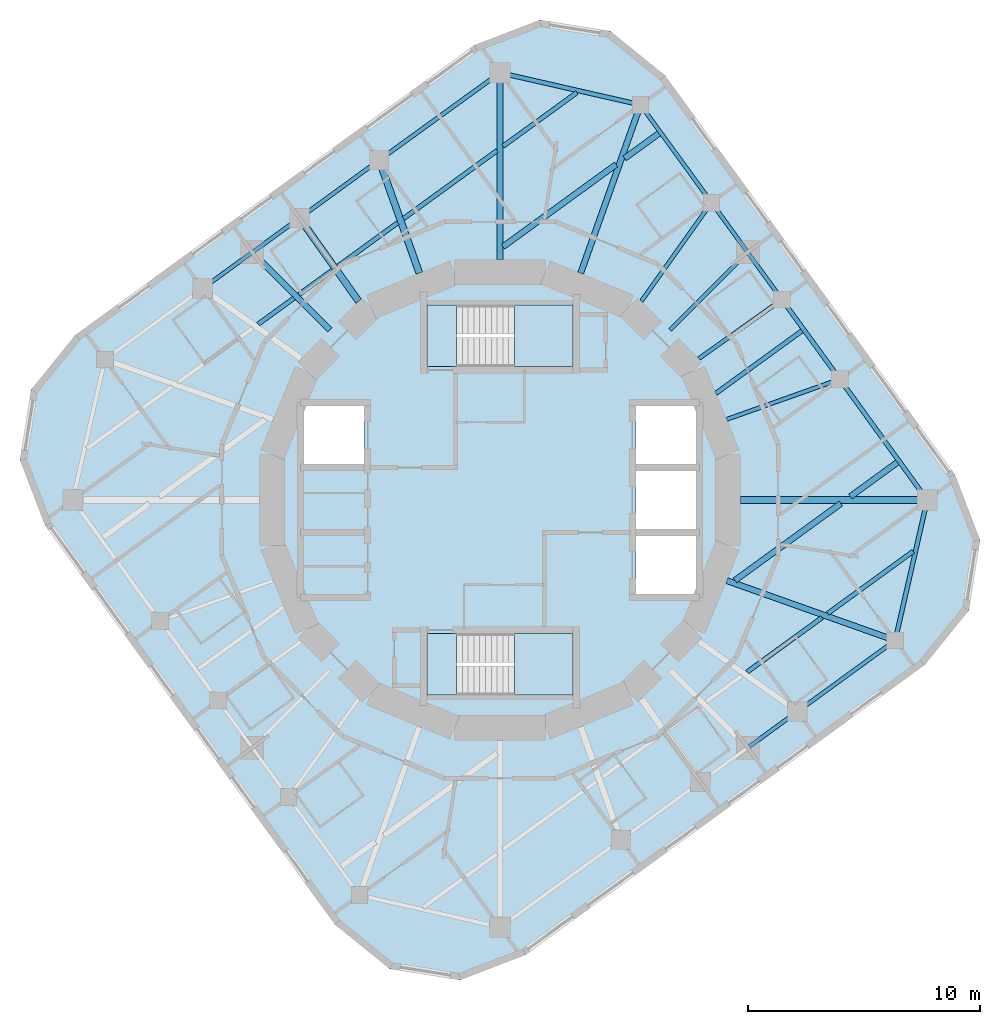
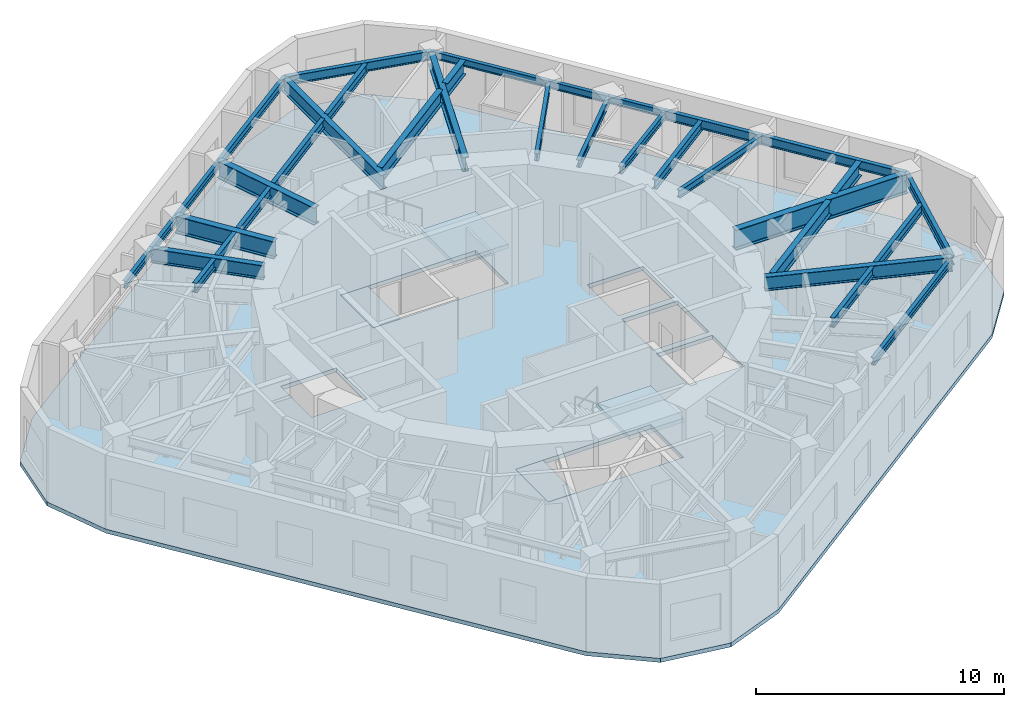
# One storey, part 2 of 9: 36 beams, 5 slabs, 2 elements without a shape of their own.
"""IFC4 building model written with IfcOpenShell, lengths in metres."""

import ifcopenshell
import ifcopenshell.guid

model = None  # the IFC model being written
_history = None  # IfcOwnerHistory: only IFC2X3 demands one
_inside = {}  # id of a spatial element -> (the spatial element, [elements in it])
_under = {}  # id of a project, library or spatial element -> (it, [spatial elements below it])
_declared = {}  # id of a project -> (the project, [libraries it declares])
_typed = {}  # id of a type object -> (the type object, [elements of that type])
_made_of = {}  # id of a material, layer set ... -> (it, [elements and type objects made of it])


def new_model(schema):
    """Start an empty IFC model of exactly this schema.

    Asked for "IFC4X3", IfcOpenShell would pick the latest addendum, in which some entities
    have other attributes; the version numbers below select the first issue.
    IFC2X3 requires an IfcOwnerHistory on every rooted entity: one is made here for all.
    """
    global model, _history
    if schema == "IFC4X3":
        model = ifcopenshell.file(schema_version=(4, 3, 0, 0))
    else:
        model = ifcopenshell.file(schema=schema)
    _inside.clear()
    _under.clear()
    _declared.clear()
    _typed.clear()
    _made_of.clear()
    _history = None
    if model.schema == "IFC2X3":
        org = make("IfcOrganization", Name="unknown")
        user = make(
            "IfcPersonAndOrganization",
            ThePerson=make("IfcPerson", FamilyName="unknown"),
            TheOrganization=org,
        )
        app = make(
            "IfcApplication",
            ApplicationDeveloper=org,
            Version="unknown",
            ApplicationFullName="unknown",
            ApplicationIdentifier="unknown",
        )
        _history = make(
            "IfcOwnerHistory",
            OwningUser=user,
            OwningApplication=app,
            ChangeAction="ADDED",
            CreationDate=0,
        )
    return model


def make(cls, **values):
    """One entity of the class cls with the attributes given. An attribute that is None is left unset."""
    return model.create_entity(
        cls, **{name: value for name, value in values.items() if value is not None}
    )


def rooted(cls, **values):
    """An entity with a GlobalId (a new one), such as an element, a storey or a relation."""
    return make(cls, GlobalId=ifcopenshell.guid.new(), OwnerHistory=_history, **values)


def si_unit(unit_type, name, prefix=None):
    """IfcSIUnit, for example si_unit("LENGTHUNIT", "METRE", prefix="MILLI")."""
    return make("IfcSIUnit", UnitType=unit_type, Prefix=prefix, Name=name)


def assignment(units):
    """IfcUnitAssignment: the units of a project."""
    return None if units is None else make("IfcUnitAssignment", Units=units)


def point(xyz):
    """IfcCartesianPoint."""
    return None if xyz is None else make("IfcCartesianPoint", Coordinates=xyz)


def direction(xyz):
    """IfcDirection."""
    return None if xyz is None else make("IfcDirection", DirectionRatios=xyz)


def frame(location, z_axis=None, x_axis=None):
    """IfcAxis2Placement3D, a coordinate frame: its origin and axes. An axis left out is left unset."""
    return make(
        "IfcAxis2Placement3D",
        Location=point(location),
        Axis=direction(z_axis),
        RefDirection=direction(x_axis),
    )


def frame_2d(location, x_axis=None):
    """IfcAxis2Placement2D, a coordinate frame in the plane: its origin and x axis."""
    return make(
        "IfcAxis2Placement2D", Location=point(location), RefDirection=direction(x_axis)
    )


def origin():
    """The frame at (0, 0, 0) with its axes left unset."""
    return frame((0.0, 0.0, 0.0))


def origin_2d():
    """The frame at (0, 0) in the plane with its x axis left unset."""
    return frame_2d((0.0, 0.0))


def place(relative_to, where):
    """IfcLocalPlacement: puts the frame where relative to a parent placement (None: the world)."""
    return make(
        "IfcLocalPlacement", PlacementRelTo=relative_to, RelativePlacement=where
    )


def context(
    kind, dimensions, precision=None, world=None, true_north=None, identifier=None
):
    """IfcGeometricRepresentationContext, for example the 3D "Model" context."""
    return make(
        "IfcGeometricRepresentationContext",
        ContextIdentifier=identifier,
        ContextType=kind,
        CoordinateSpaceDimension=dimensions,
        Precision=precision,
        WorldCoordinateSystem=world,
        TrueNorth=true_north,
    )


def subcontext(parent, identifier, kind, view, scale=None):
    """IfcGeometricRepresentationSubContext, for example "Body" below "Model"."""
    return make(
        "IfcGeometricRepresentationSubContext",
        ContextIdentifier=identifier,
        ContextType=kind,
        ParentContext=parent,
        TargetScale=scale,
        TargetView=view,
    )


def project(units=None, contexts=None):
    """IfcProject with its units and contexts."""
    return rooted(
        "IfcProject",
        Name="project",
        RepresentationContexts=contexts,
        UnitsInContext=assignment(units),
    )


def spatial(cls, under=None, at=None, **own):
    """A site, building, storey or space (cls), placed at a placement, below another one or the project."""
    s = rooted(cls, ObjectPlacement=at, **own)
    if under is not None:
        _under.setdefault(under.id(), (under, []))[1].append(s)
    return s


def polyline(points):
    """IfcPolyline through the points."""
    return make("IfcPolyline", Points=[point(p) for p in points])


def profile(cls, at=None, kind="AREA", **sizes):
    """A parametric profile (cls). Its sizes go by their IFC names, for example OverallWidth=200.0."""
    return make(cls, ProfileType=kind, Position=at, **sizes)


def i_section(**sizes):
    """IfcIShapeProfileDef."""
    return profile("IfcIShapeProfileDef", **sizes)


def outline(outer, holes=None, kind="AREA"):
    """IfcArbitraryClosedProfileDef: a profile drawn as a closed curve; with holes, ...WithVoids."""
    if holes is None:
        return make("IfcArbitraryClosedProfileDef", ProfileType=kind, OuterCurve=outer)
    return make(
        "IfcArbitraryProfileDefWithVoids",
        ProfileType=kind,
        OuterCurve=outer,
        InnerCurves=holes,
    )


def extrude(swept, where, along, depth):
    """IfcExtrudedAreaSolid: the profile swept, set in the frame where, extruded along a direction by depth."""
    return make(
        "IfcExtrudedAreaSolid",
        SweptArea=swept,
        Position=where,
        ExtrudedDirection=direction(along),
        Depth=depth,
    )


def shape(context_of_items, identifier, shape_type, items):
    """IfcShapeRepresentation: the items that make up one representation, for example the "Body"."""
    return make(
        "IfcShapeRepresentation",
        ContextOfItems=context_of_items,
        RepresentationIdentifier=identifier,
        RepresentationType=shape_type,
        Items=items,
    )


def material(Name=None, Category=None):
    """IfcMaterial."""
    return make("IfcMaterial", Name=Name, Category=Category)


def layer(
    of_material, thickness, ventilated=None, Name=None, Category=None, Priority=None
):
    """IfcMaterialLayer: one layer of a wall or slab, of a material (None: an air gap)."""
    return make(
        "IfcMaterialLayer",
        Material=of_material,
        LayerThickness=thickness,
        IsVentilated=ventilated,
        Name=Name,
        Category=Category,
        Priority=Priority,
    )


def layer_set(layers, Name=None):
    """IfcMaterialLayerSet."""
    return make("IfcMaterialLayerSet", MaterialLayers=layers, LayerSetName=Name)


def material_profile(
    of_material, cross_section, Name=None, Category=None, Priority=None
):
    """IfcMaterialProfile: a cross section and its material."""
    return make(
        "IfcMaterialProfile",
        Name=Name,
        Material=of_material,
        Profile=cross_section,
        Priority=Priority,
        Category=Category,
    )


def profile_set(profiles, Name=None, composite=None):
    """IfcMaterialProfileSet."""
    return make(
        "IfcMaterialProfileSet",
        Name=Name,
        MaterialProfiles=profiles,
        CompositeProfile=composite,
    )


def made_of(thing, what):
    """Note that an element or type object is made of a material, layer set ...; save() writes the relation."""
    if what is not None:
        _made_of.setdefault(what.id(), (what, []))[1].append(thing)
    return thing


def type_object(cls, material=None, **own):
    """A type object (cls), such as IfcWallType, which elements share."""
    return made_of(rooted(cls, **own), material)


def element(
    cls,
    number,
    at=None,
    inside=None,
    cuts=None,
    type_object=None,
    material=None,
    context=None,
    identifier="Body",
    shape_type=None,
    held_by="IfcProductDefinitionShape",
    body=None,
    shapes=None,
    **own,
):
    """One element of the class cls, such as IfcWall. Its Tag is "e" and its number.

    at: its placement. inside: the storey or other place that contains it. cuts: it is an
    opening in that element (IfcRelVoidsElement). A single representation is given by context,
    identifier, shape_type and body (its items); several are given by shapes. held_by: the class
    of the entity that holds the representations. save() writes the other relations.
    """
    e = rooted(cls, Tag="e%d" % number, ObjectPlacement=at, **own)
    if body is not None:
        shapes = [shape(context, identifier, shape_type, body)]
    if shapes is not None:
        e.Representation = make(held_by, Representations=shapes)
    if inside is not None:
        _inside.setdefault(inside.id(), (inside, []))[1].append(e)
    if cuts is not None:
        rooted(
            "IfcRelVoidsElement", RelatingBuildingElement=cuts, RelatedOpeningElement=e
        )
    if type_object is not None:
        _typed.setdefault(type_object.id(), (type_object, []))[1].append(e)
    return made_of(e, material)


def aggregate(whole, parts):
    """IfcRelAggregates: a whole, such as a stair, and the parts it consists of."""
    return rooted("IfcRelAggregates", RelatingObject=whole, RelatedObjects=parts)


def save(model, path):
    """Write the relations noted so far, then the file.

    IfcRelAggregates (storeys below a building ...), IfcRelContainedInSpatialStructure (elements
    in a storey), IfcRelDefinesByType, IfcRelAssociatesMaterial and IfcRelDeclares: one each for
    every whole, place, type object, material and project.
    """
    for whole, parts in _under.values():
        aggregate(whole, parts)
    for where, things in _inside.values():
        rooted(
            "IfcRelContainedInSpatialStructure",
            RelatedElements=things,
            RelatingStructure=where,
        )
    for kind, things in _typed.values():
        rooted("IfcRelDefinesByType", RelatedObjects=things, RelatingType=kind)
    for what, things in _made_of.values():
        rooted("IfcRelAssociatesMaterial", RelatedObjects=things, RelatingMaterial=what)
    for by, libraries in _declared.values():
        rooted("IfcRelDeclares", RelatingContext=by, RelatedDefinitions=libraries)
    model.write(path)


model = new_model("IFC4")

# Units and contexts
model_context = context("Model", 3, precision=1e-05, world=origin(), true_north=direction((0.0, 1.0)))
body_context = subcontext(model_context, "Body", "Model", "MODEL_VIEW")
ifc_project = project(units=[si_unit("LENGTHUNIT", "METRE"), si_unit("AREAUNIT", "SQUARE_METRE"), si_unit("VOLUMEUNIT", "CUBIC_METRE"), si_unit("PLANEANGLEUNIT", "RADIAN"), si_unit("MASSUNIT", "GRAM", prefix="KILO")], contexts=[model_context])

# Site, building, storey
site_placement = place(None, origin())
site = spatial("IfcSite", under=ifc_project, at=site_placement, CompositionType="ELEMENT")
building_placement = place(site_placement, origin())
building = spatial("IfcBuilding", under=site, at=building_placement, Name="Nakasero Lantern House", CompositionType="ELEMENT")
storey_placement = place(building_placement, frame((0.0, 0.0, 283.0)))
storey = spatial("IfcBuildingStorey", under=building, at=storey_placement, Name="L69", CompositionType="ELEMENT", Elevation=283.0)

# Beams
ifc_material_1 = material(Name="Steel S355", Category="steel")
ifc_material_profile_1 = material_profile(ifc_material_1, i_section(OverallWidth=0.19140625, OverallDepth=0.4599609375, WebThickness=0.010009765625, FlangeThickness=0.01611328125, FilletRadius=0.01025390625, at=origin_2d()), Name="UB 457x191x82")
ifc_profile_set_1 = profile_set([ifc_material_profile_1], Name="Steel S355")
beam_type_1 = type_object("IfcBeamType", Name="Infill beam UB 457x191x82", PredefinedType="JOIST", material=ifc_profile_set_1)
beam_1_placement = place(storey_placement, frame((10.6416015625, -7.410400390625, 3.419921875), z_axis=(0.809000670398, 0.587807719663, 0.0), x_axis=(-0.587807719663, 0.809000670398, 0.0)))
element("IfcBeam", 1, at=beam_1_placement, inside=storey, type_object=beam_type_1, Name="Infill beam L70 03.6", PredefinedType="JOIST", context=body_context, shape_type="SweptSolid", body=[
    extrude(i_section(OverallWidth=0.19140625, OverallDepth=0.4599609375, WebThickness=0.010009765625, FlangeThickness=0.01611328125, FilletRadius=0.01025390625, at=origin_2d()), origin(), (0.0, 0.0, 1.0), 3.989013671875),
])
beam_2_placement = place(storey_placement, frame((14.117431640625, -4.885009765625, 3.419921875), z_axis=(0.80901210161, 0.587791986546, 0.0), x_axis=(-0.587791986546, 0.80901210161, 0.0)))
element("IfcBeam", 2, at=beam_2_placement, inside=storey, type_object=beam_type_1, Name="Infill beam L70 03.7", PredefinedType="JOIST", context=body_context, shape_type="SweptSolid", body=[
    extrude(i_section(OverallWidth=0.19140625, OverallDepth=0.4599609375, WebThickness=0.010009765625, FlangeThickness=0.01611328125, FilletRadius=0.01025390625, at=origin_2d()), origin(), (0.0, 0.0, 1.0), 4.55029296875),
])
beam_3_placement = place(storey_placement, frame((9.306396484375, 4.598388671875, 3.419921875), z_axis=(0.809017640959, 0.587784362344, 0.0), x_axis=(-0.587784362344, 0.809017640959, 0.0)))
element("IfcBeam", 3, at=beam_3_placement, inside=storey, type_object=beam_type_1, Name="Infill beam L70 06.1", PredefinedType="JOIST", context=body_context, shape_type="SweptSolid", body=[
    extrude(i_section(OverallWidth=0.19140625, OverallDepth=0.4599609375, WebThickness=0.010009765625, FlangeThickness=0.01611328125, FilletRadius=0.01025390625, at=origin_2d()), origin(), (0.0, 0.0, 1.0), 4.572998046875),
])
beam_4_placement = place(storey_placement, frame((-10.41845703125, 7.572265625, 3.419921875), z_axis=(0.809012638294, 0.587791247877, 0.0), x_axis=(-0.587791247877, 0.809012638294, 0.0)))
element("IfcBeam", 4, at=beam_4_placement, inside=storey, type_object=beam_type_1, Name="Infill beam L70 10.3", PredefinedType="JOIST", context=body_context, shape_type="SweptSolid", body=[
    extrude(i_section(OverallWidth=0.19140625, OverallDepth=0.4599609375, WebThickness=0.010009765625, FlangeThickness=0.01611328125, FilletRadius=0.01025390625, at=origin_2d()), origin(), (0.0, 0.0, 1.0), 1.908203125),
])
beam_5_placement = place(storey_placement, frame((-8.665283203125, 8.84619140625, 3.419921875), z_axis=(0.809060510352, 0.587725353025, 0.0), x_axis=(-0.587725353025, 0.809060510352, 0.0)))
element("IfcBeam", 5, at=beam_5_placement, inside=storey, type_object=beam_type_1, Name="Infill beam L70 10.4", PredefinedType="JOIST", context=body_context, shape_type="SweptSolid", body=[
    extrude(i_section(OverallWidth=0.19140625, OverallDepth=0.4599609375, WebThickness=0.010009765625, FlangeThickness=0.01611328125, FilletRadius=0.01025390625, at=origin_2d()), origin(), (0.0, 0.0, 1.0), 1.7890625),
])
beam_6_placement = place(storey_placement, frame((-6.981201171875, 10.069580078125, 3.419921875), z_axis=(0.809014147131, 0.587789171167, 0.0), x_axis=(-0.587789171167, 0.809014147131, 0.0)))
element("IfcBeam", 6, at=beam_6_placement, inside=storey, type_object=beam_type_1, Name="Infill beam L70 10.5", PredefinedType="JOIST", context=body_context, shape_type="SweptSolid", body=[
    extrude(i_section(OverallWidth=0.19140625, OverallDepth=0.4599609375, WebThickness=0.010009765625, FlangeThickness=0.01611328125, FilletRadius=0.01025390625, at=origin_2d()), origin(), (0.0, 0.0, 1.0), 3.188232421875),
])
beam_7_placement = place(storey_placement, frame((-4.1552734375, 12.122802734375, 3.419921875), z_axis=(0.809018056479, 0.587783790428, 0.0), x_axis=(-0.587783790428, 0.809018056479, 0.0)))
element("IfcBeam", 7, at=beam_7_placement, inside=storey, type_object=beam_type_1, Name="Infill beam L70 10.6", PredefinedType="JOIST", context=body_context, shape_type="SweptSolid", body=[
    extrude(i_section(OverallWidth=0.19140625, OverallDepth=0.4599609375, WebThickness=0.010009765625, FlangeThickness=0.01611328125, FilletRadius=0.01025390625, at=origin_2d()), origin(), (0.0, 0.0, 1.0), 4.97802734375),
])
beam_8_placement = place(storey_placement, frame((0.1279296875, 15.23486328125, 3.419921875), z_axis=(0.809028442836, 0.587769494515, 0.0), x_axis=(-0.587769494515, 0.809028442836, 0.0)))
element("IfcBeam", 8, at=beam_8_placement, inside=storey, type_object=beam_type_1, Name="Infill beam L70 10.7", PredefinedType="JOIST", context=body_context, shape_type="SweptSolid", body=[
    extrude(i_section(OverallWidth=0.19140625, OverallDepth=0.4599609375, WebThickness=0.010009765625, FlangeThickness=0.01611328125, FilletRadius=0.01025390625, at=origin_2d()), origin(), (0.0, 0.0, 1.0), 3.934814453125),
])
ifc_material_2 = material(Name="Steel S355", Category="steel")
ifc_material_profile_2 = material_profile(ifc_material_2, i_section(OverallWidth=0.255859375, OverallDepth=0.69287109375, WebThickness=0.014404296875, FlangeThickness=0.023681640625, FilletRadius=0.01513671875, at=origin_2d()), Name="UB 686x254x170")
ifc_profile_set_2 = profile_set([ifc_material_profile_2], Name="Steel S355")
beam_type_2 = type_object("IfcBeamType", Name="Infill beam UB 686x254x170", PredefinedType="JOIST", material=ifc_profile_set_2)
beam_9_placement = place(storey_placement, frame((10.119384765625, -3.46337890625, 3.303466796875), z_axis=(0.809013172462, 0.587790512669, 0.0), x_axis=(-0.587790512669, 0.809013172462, 0.0)))
element("IfcBeam", 9, at=beam_9_placement, inside=storey, type_object=beam_type_2, Name="Infill beam L70 04.3", PredefinedType="JOIST", context=body_context, shape_type="SweptSolid", body=[
    extrude(i_section(OverallWidth=0.255859375, OverallDepth=0.69287109375, WebThickness=0.014404296875, FlangeThickness=0.023681640625, FilletRadius=0.01513671875, at=origin_2d()), origin(), (0.0, 0.0, 1.0), 5.63720703125),
])
beam_10_placement = place(storey_placement, frame((15.0927734375, 0.14990234375, 3.303466796875), z_axis=(0.809015124384, 0.587787826106, 0.0), x_axis=(-0.587787826106, 0.809015124384, 0.0)))
element("IfcBeam", 10, at=beam_10_placement, inside=storey, type_object=beam_type_2, Name="Infill beam L70 04.4", PredefinedType="JOIST", context=body_context, shape_type="SweptSolid", body=[
    extrude(i_section(OverallWidth=0.255859375, OverallDepth=0.69287109375, WebThickness=0.014404296875, FlangeThickness=0.023681640625, FilletRadius=0.01513671875, at=origin_2d()), origin(), (0.0, 0.0, 1.0), 2.496337890625),
])
beam_11_placement = place(storey_placement, frame((0.1279296875, 10.908447265625, 3.303466796875), z_axis=(0.809011117524, 0.587793340998, 0.0), x_axis=(-0.587793340998, 0.809011117524, 0.0)))
element("IfcBeam", 11, at=beam_11_placement, inside=storey, type_object=beam_type_2, Name="Infill beam L70 09.3", PredefinedType="JOIST", context=body_context, shape_type="SweptSolid", body=[
    extrude(i_section(OverallWidth=0.255859375, OverallDepth=0.69287109375, WebThickness=0.014404296875, FlangeThickness=0.023681640625, FilletRadius=0.01513671875, at=origin_2d()), origin(), (0.0, 0.0, 1.0), 6.024658203125),
])
beam_12_placement = place(storey_placement, frame((5.367919921875, 14.715576171875, 3.303466796875), z_axis=(0.809025740158, 0.587773214566, 0.0), x_axis=(-0.587773214566, 0.809025740158, 0.0)))
element("IfcBeam", 12, at=beam_12_placement, inside=storey, type_object=beam_type_2, Name="Infill beam L70 09.4", PredefinedType="JOIST", context=body_context, shape_type="SweptSolid", body=[
    extrude(i_section(OverallWidth=0.255859375, OverallDepth=0.69287109375, WebThickness=0.014404296875, FlangeThickness=0.023681640625, FilletRadius=0.01513671875, at=origin_2d()), origin(), (0.0, 0.0, 1.0), 1.82177734375),
])
ifc_material_3 = material(Name="Steel S355", Category="steel")
ifc_material_profile_3 = material_profile(ifc_material_3, i_section(OverallWidth=0.300048828125, OverallDepth=0.97998046875, WebThickness=0.0166015625, FlangeThickness=0.02587890625, FilletRadius=0.030029296875, at=origin_2d()), Name="UB 1016x305x249")
ifc_profile_set_3 = profile_set([ifc_material_profile_3], Name="Steel S355")
beam_type_3 = type_object("IfcBeamType", Name="Primary beam UB 1016x305x249, span 6 to 9 m", PredefinedType="BEAM", material=ifc_profile_set_3)
beam_13_placement = place(storey_placement, frame((18.39990234375, 0.0, 3.159912109375), z_axis=(-1.0, 0.0, 0.0), x_axis=(0.0, -1.0, 0.0)))
element("IfcBeam", 13, at=beam_13_placement, inside=storey, type_object=beam_type_3, Name="Primary beam L70 B7-C03", PredefinedType="BEAM", context=body_context, shape_type="SweptSolid", body=[
    extrude(i_section(OverallWidth=0.300048828125, OverallDepth=0.97998046875, WebThickness=0.0166015625, FlangeThickness=0.02587890625, FilletRadius=0.030029296875, at=origin_2d()), origin(), (0.0, 0.0, 1.0), 8.0419921875),
])
ifc_material_4 = material(Name="Steel S355", Category="steel")
ifc_material_profile_4 = material_profile(ifc_material_4, i_section(OverallWidth=0.17138671875, OverallDepth=0.35498046875, WebThickness=0.00732421875, FlangeThickness=0.011474609375, FilletRadius=0.01025390625, at=origin_2d()), Name="UB 356x171x51")
ifc_profile_set_4 = profile_set([ifc_material_profile_4], Name="Steel S355")
beam_type_4 = type_object("IfcBeamType", Name="Primary beam UB 356x171x51, span to 6 m", PredefinedType="BEAM", material=ifc_profile_set_4)
beam_14_placement = place(storey_placement, frame((14.636474609375, 5.2041015625, 3.472412109375), z_axis=(-0.942221324153, -0.3349910093, 0.0), x_axis=(0.3349910093, -0.942221324153, 0.0)))
element("IfcBeam", 14, at=beam_14_placement, inside=storey, type_object=beam_type_4, Name="Primary beam L70 B7-C04", PredefinedType="BEAM", context=body_context, shape_type="SweptSolid", body=[
    extrude(i_section(OverallWidth=0.17138671875, OverallDepth=0.35498046875, WebThickness=0.00732421875, FlangeThickness=0.011474609375, FilletRadius=0.01025390625, at=origin_2d()), origin(), (0.0, 0.0, 1.0), 5.162841796875),
])
beam_15_placement = place(storey_placement, frame((12.1435546875, 8.63525390625, 3.472412109375), z_axis=(-0.814988544116, -0.579477068537, 0.0), x_axis=(0.579477068537, -0.814988544116, 0.0)))
element("IfcBeam", 15, at=beam_15_placement, inside=storey, type_object=beam_type_4, Name="Primary beam L70 B7-C05", PredefinedType="BEAM", context=body_context, shape_type="SweptSolid", body=[
    extrude(i_section(OverallWidth=0.17138671875, OverallDepth=0.35498046875, WebThickness=0.00732421875, FlangeThickness=0.011474609375, FilletRadius=0.01025390625, at=origin_2d()), origin(), (0.0, 0.0, 1.0), 4.396484375),
])
beam_16_placement = place(storey_placement, frame((10.667236328125, 10.667236328125, 3.472412109375), z_axis=(-0.707106781187, -0.707106781187, 0.0), x_axis=(0.707106781187, -0.707106781187, 0.0)))
element("IfcBeam", 16, at=beam_16_placement, inside=storey, type_object=beam_type_4, Name="Primary beam L70 B7-C06", PredefinedType="BEAM", context=body_context, shape_type="SweptSolid", body=[
    extrude(i_section(OverallWidth=0.17138671875, OverallDepth=0.35498046875, WebThickness=0.00732421875, FlangeThickness=0.011474609375, FilletRadius=0.01025390625, at=origin_2d()), origin(), (0.0, 0.0, 1.0), 4.727783203125),
])
beam_17_placement = place(storey_placement, frame((9.10986328125, 12.810791015625, 3.472412109375), z_axis=(-0.579500985986, -0.814971537688, 0.0), x_axis=(0.814971537688, -0.579500985986, 0.0)))
element("IfcBeam", 17, at=beam_17_placement, inside=storey, type_object=beam_type_4, Name="Primary beam L70 B7-C07", PredefinedType="BEAM", context=body_context, shape_type="SweptSolid", body=[
    extrude(i_section(OverallWidth=0.17138671875, OverallDepth=0.35498046875, WebThickness=0.00732421875, FlangeThickness=0.011474609375, FilletRadius=0.01025390625, at=origin_2d()), origin(), (0.0, 0.0, 1.0), 5.215087890625),
])
ifc_material_5 = material(Name="Steel S355", Category="steel")
ifc_material_profile_5 = material_profile(ifc_material_5, i_section(OverallWidth=0.253662109375, OverallDepth=0.68359375, WebThickness=0.012451171875, FlangeThickness=0.01904296875, FilletRadius=0.01513671875, at=origin_2d()), Name="UB 686x254x140")
ifc_profile_set_5 = profile_set([ifc_material_profile_5], Name="Steel S355")
beam_type_5 = type_object("IfcBeamType", Name="Primary beam UB 686x254x140, span 6 to 9 m", PredefinedType="BEAM", material=ifc_profile_set_5)
beam_18_placement = place(storey_placement, frame((17.02001953125, -6.051513671875, 3.308349609375), z_axis=(-0.942222036561, 0.334989005521, 0.0), x_axis=(-0.334989005521, -0.942222036561, 0.0)))
element("IfcBeam", 18, at=beam_18_placement, inside=storey, type_object=beam_type_5, Name="Primary beam L70 B7-C02", PredefinedType="BEAM", context=body_context, shape_type="SweptSolid", body=[
    extrude(i_section(OverallWidth=0.253662109375, OverallDepth=0.68359375, WebThickness=0.012451171875, FlangeThickness=0.01904296875, FilletRadius=0.01513671875, at=origin_2d()), origin(), (0.0, 0.0, 1.0), 7.6923828125),
])
ifc_material_6 = material(Name="Steel S355", Category="steel")
ifc_material_profile_6 = material_profile(ifc_material_6, i_section(OverallWidth=0.255859375, OverallDepth=0.69287109375, WebThickness=0.014404296875, FlangeThickness=0.023681640625, FilletRadius=0.01513671875, at=origin_2d()), Name="UB 686x254x170")
ifc_profile_set_6 = profile_set([ifc_material_profile_6], Name="Steel S355")
beam_type_6 = type_object("IfcBeamType", Name="Primary beam UB 686x254x170, span 6 to 9 m", PredefinedType="BEAM", material=ifc_profile_set_6)
beam_19_placement = place(storey_placement, frame((6.051513671875, 17.02001953125, 3.303466796875), z_axis=(-0.334989005521, -0.942222036561, 0.0), x_axis=(0.942222036561, -0.334989005521, 0.0)))
element("IfcBeam", 19, at=beam_19_placement, inside=storey, type_object=beam_type_6, Name="Primary beam L70 B7-C08", PredefinedType="BEAM", context=body_context, shape_type="SweptSolid", body=[
    extrude(i_section(OverallWidth=0.255859375, OverallDepth=0.69287109375, WebThickness=0.014404296875, FlangeThickness=0.023681640625, FilletRadius=0.01513671875, at=origin_2d()), origin(), (0.0, 0.0, 1.0), 7.6923828125),
])
beam_20_placement = place(storey_placement, frame((0.0, 18.39990234375, 3.303466796875), z_axis=(0.0, -1.0, 0.0), x_axis=(1.0, 0.0, 0.0)))
element("IfcBeam", 20, at=beam_20_placement, inside=storey, type_object=beam_type_6, Name="Primary beam L70 B7-C09", PredefinedType="BEAM", context=body_context, shape_type="SweptSolid", body=[
    extrude(i_section(OverallWidth=0.255859375, OverallDepth=0.69287109375, WebThickness=0.014404296875, FlangeThickness=0.023681640625, FilletRadius=0.01513671875, at=origin_2d()), origin(), (0.0, 0.0, 1.0), 8.0419921875),
])
ifc_material_7 = material(Name="Steel S355", Category="steel")
ifc_material_profile_7 = material_profile(ifc_material_7, i_section(OverallWidth=0.255859375, OverallDepth=0.69287109375, WebThickness=0.014404296875, FlangeThickness=0.023681640625, FilletRadius=0.01513671875, at=origin_2d()), Name="UB 686x254x170")
ifc_profile_set_7 = profile_set([ifc_material_profile_7], Name="Steel S355")
beam_type_7 = type_object("IfcBeamType", Name="Primary beam UB 686x254x170, span to 6 m", PredefinedType="BEAM", material=ifc_profile_set_7)
beam_21_placement = place(storey_placement, frame((-10.667236328125, 10.667236328125, 3.303466796875), z_axis=(0.707106781187, -0.707106781187, 0.0), x_axis=(0.707106781187, 0.707106781187, 0.0)))
element("IfcBeam", 21, at=beam_21_placement, inside=storey, type_object=beam_type_7, Name="Primary beam L70 B7-C12", PredefinedType="BEAM", context=body_context, shape_type="SweptSolid", body=[
    extrude(i_section(OverallWidth=0.255859375, OverallDepth=0.69287109375, WebThickness=0.014404296875, FlangeThickness=0.023681640625, FilletRadius=0.01513671875, at=origin_2d()), origin(), (0.0, 0.0, 1.0), 4.727783203125),
])
ifc_material_8 = material(Name="Steel S355", Category="steel")
ifc_material_profile_8 = material_profile(ifc_material_8, i_section(OverallWidth=0.29248046875, OverallDepth=0.8408203125, WebThickness=0.0146484375, FlangeThickness=0.02685546875, FilletRadius=0.017822265625, at=origin_2d()), Name="UB 838x292x194")
ifc_profile_set_8 = profile_set([ifc_material_profile_8], Name="Steel S355")
beam_type_8 = type_object("IfcBeamType", Name="Primary beam UB 838x292x194, span to 6 m", PredefinedType="BEAM", material=ifc_profile_set_8)
beam_22_placement = place(storey_placement, frame((-5.2041015625, 14.636474609375, 3.229736328125), z_axis=(0.3349910093, -0.942221324153, 0.0), x_axis=(0.942221324153, 0.3349910093, 0.0)))
element("IfcBeam", 22, at=beam_22_placement, inside=storey, type_object=beam_type_8, Name="Primary beam L70 B7-C10", PredefinedType="BEAM", context=body_context, shape_type="SweptSolid", body=[
    extrude(i_section(OverallWidth=0.29248046875, OverallDepth=0.8408203125, WebThickness=0.0146484375, FlangeThickness=0.02685546875, FilletRadius=0.017822265625, at=origin_2d()), origin(), (0.0, 0.0, 1.0), 5.162841796875),
])
beam_23_placement = place(storey_placement, frame((-8.63525390625, 12.1435546875, 3.229736328125), z_axis=(0.579477068537, -0.814988544116, 0.0), x_axis=(0.814988544116, 0.579477068537, 0.0)))
element("IfcBeam", 23, at=beam_23_placement, inside=storey, type_object=beam_type_8, Name="Primary beam L70 B7-C11", PredefinedType="BEAM", context=body_context, shape_type="SweptSolid", body=[
    extrude(i_section(OverallWidth=0.29248046875, OverallDepth=0.8408203125, WebThickness=0.0146484375, FlangeThickness=0.02685546875, FilletRadius=0.017822265625, at=origin_2d()), origin(), (0.0, 0.0, 1.0), 4.396484375),
])
ifc_material_9 = material(Name="Steel S355", Category="steel")
ifc_material_profile_9 = material_profile(ifc_material_9, i_section(OverallWidth=0.17138671875, OverallDepth=0.35498046875, WebThickness=0.00732421875, FlangeThickness=0.011474609375, FilletRadius=0.01025390625, at=origin_2d()), Name="UB 356x171x51")
ifc_profile_set_9 = profile_set([ifc_material_profile_9], Name="Steel S355")
beam_type_9 = type_object("IfcBeamType", Name="Ring beam UB 356x171x51", PredefinedType="BEAM", material=ifc_profile_set_9)
beam_24_placement = place(storey_placement, frame((12.810791015625, -9.10986328125, 3.472412109375), z_axis=(0.809001814948, 0.587806144414, 0.0), x_axis=(-0.587806144414, 0.809001814948, 0.0)))
element("IfcBeam", 24, at=beam_24_placement, inside=storey, type_object=beam_type_9, Name="Ring beam L70 B7-C01", PredefinedType="BEAM", context=body_context, shape_type="SweptSolid", body=[
    extrude(i_section(OverallWidth=0.17138671875, OverallDepth=0.35498046875, WebThickness=0.00732421875, FlangeThickness=0.011474609375, FilletRadius=0.01025390625, at=origin_2d()), origin(), (0.0, 0.0, 1.0), 5.202880859375),
])
beam_25_placement = place(storey_placement, frame((12.1435546875, 8.63525390625, 3.472412109375), z_axis=(-0.58778439593, 0.809017616558, 0.0), x_axis=(-0.809017616558, -0.58778439593, 0.0)))
element("IfcBeam", 25, at=beam_25_placement, inside=storey, type_object=beam_type_9, Name="Ring beam L70 B7-C05", PredefinedType="BEAM", context=body_context, shape_type="SweptSolid", body=[
    extrude(i_section(OverallWidth=0.17138671875, OverallDepth=0.35498046875, WebThickness=0.00732421875, FlangeThickness=0.011474609375, FilletRadius=0.01025390625, at=origin_2d()), origin(), (0.0, 0.0, 1.0), 2.51171875),
])
beam_26_placement = place(storey_placement, frame((10.667236328125, 10.667236328125, 3.472412109375), z_axis=(-0.587782635143, 0.809018895839, 0.0), x_axis=(-0.809018895839, -0.587782635143, 0.0)))
element("IfcBeam", 26, at=beam_26_placement, inside=storey, type_object=beam_type_9, Name="Ring beam L70 B7-C06", PredefinedType="BEAM", context=body_context, shape_type="SweptSolid", body=[
    extrude(i_section(OverallWidth=0.17138671875, OverallDepth=0.35498046875, WebThickness=0.00732421875, FlangeThickness=0.011474609375, FilletRadius=0.01025390625, at=origin_2d()), origin(), (0.0, 0.0, 1.0), 2.649658203125),
])
beam_27_placement = place(storey_placement, frame((9.10986328125, 12.810791015625, 3.472412109375), z_axis=(-0.587806144414, 0.809001814948, 0.0), x_axis=(-0.809001814948, -0.587806144414, 0.0)))
element("IfcBeam", 27, at=beam_27_placement, inside=storey, type_object=beam_type_9, Name="Ring beam L70 B7-C07", PredefinedType="BEAM", context=body_context, shape_type="SweptSolid", body=[
    extrude(i_section(OverallWidth=0.17138671875, OverallDepth=0.35498046875, WebThickness=0.00732421875, FlangeThickness=0.011474609375, FilletRadius=0.01025390625, at=origin_2d()), origin(), (0.0, 0.0, 1.0), 5.202880859375),
])
beam_28_placement = place(storey_placement, frame((-5.2041015625, 14.636474609375, 3.472412109375), z_axis=(-0.809012304944, -0.587791706687, 0.0), x_axis=(0.587791706687, -0.809012304944, 0.0)))
element("IfcBeam", 28, at=beam_28_placement, inside=storey, type_object=beam_type_9, Name="Ring beam L70 B7-C10", PredefinedType="BEAM", context=body_context, shape_type="SweptSolid", body=[
    extrude(i_section(OverallWidth=0.17138671875, OverallDepth=0.35498046875, WebThickness=0.00732421875, FlangeThickness=0.011474609375, FilletRadius=0.01025390625, at=origin_2d()), origin(), (0.0, 0.0, 1.0), 4.2412109375),
])
beam_29_placement = place(storey_placement, frame((-8.63525390625, 12.1435546875, 3.472412109375), z_axis=(-0.809017616558, -0.58778439593, 0.0), x_axis=(0.58778439593, -0.809017616558, 0.0)))
element("IfcBeam", 29, at=beam_29_placement, inside=storey, type_object=beam_type_9, Name="Ring beam L70 B7-C11", PredefinedType="BEAM", context=body_context, shape_type="SweptSolid", body=[
    extrude(i_section(OverallWidth=0.17138671875, OverallDepth=0.35498046875, WebThickness=0.00732421875, FlangeThickness=0.011474609375, FilletRadius=0.01025390625, at=origin_2d()), origin(), (0.0, 0.0, 1.0), 2.51171875),
])
for number, where, z_axis, x_axis, name in (
    (30, (-10.667236328125, 10.667236328125, 3.472412109375), (-0.809018895839, -0.587782635143, 0.0), (0.587782635143, -0.809018895839, 0.0), "Ring beam L70 B7-C12"),
    (31, (10.667236328125, -10.667236328125, 3.472412109375), (0.809018895839, 0.587782635143, 0.0), (-0.587782635143, 0.809018895839, 0.0), "Ring beam L70 B7-C24"),
):
    element("IfcBeam", number, at=place(storey_placement, frame(where, z_axis=z_axis, x_axis=x_axis)), inside=storey, type_object=beam_type_9, Name=name, PredefinedType="BEAM", context=body_context, shape_type="SweptSolid", body=[
        extrude(i_section(OverallWidth=0.17138671875, OverallDepth=0.35498046875, WebThickness=0.00732421875, FlangeThickness=0.011474609375, FilletRadius=0.01025390625, at=origin_2d()), origin(), (0.0, 0.0, 1.0), 2.649658203125),
    ])
ifc_material_10 = material(Name="Steel S355", Category="steel")
ifc_material_profile_10 = material_profile(ifc_material_10, i_section(OverallWidth=0.177978515625, OverallDepth=0.406494140625, WebThickness=0.0078125, FlangeThickness=0.0126953125, FilletRadius=0.01025390625, at=origin_2d()), Name="UB 406x178x60")
ifc_profile_set_10 = profile_set([ifc_material_profile_10], Name="Steel S355")
beam_type_10 = type_object("IfcBeamType", Name="Ring beam UB 406x178x60", PredefinedType="BEAM", material=ifc_profile_set_10)
beam_30_placement = place(storey_placement, frame((0.0, 18.39990234375, 3.44677734375), z_axis=(-0.810316200404, -0.58599287996, 0.0), x_axis=(0.58599287996, -0.810316200404, 0.0)))
element("IfcBeam", 32, at=beam_30_placement, inside=storey, type_object=beam_type_10, Name="Ring beam L70 B7-C09", PredefinedType="BEAM", context=body_context, shape_type="SweptSolid", body=[
    extrude(i_section(OverallWidth=0.177978515625, OverallDepth=0.406494140625, WebThickness=0.0078125, FlangeThickness=0.0126953125, FilletRadius=0.01025390625, at=origin_2d()), origin(), (0.0, 0.0, 1.0), 6.42236328125),
])
ifc_material_11 = material(Name="Steel S355", Category="steel")
ifc_material_profile_11 = material_profile(ifc_material_11, i_section(OverallWidth=0.18994140625, OverallDepth=0.453369140625, WebThickness=0.008544921875, FlangeThickness=0.0126953125, FilletRadius=0.01025390625, at=origin_2d()), Name="UB 457x191x67")
ifc_profile_set_11 = profile_set([ifc_material_profile_11], Name="Steel S355")
beam_type_11 = type_object("IfcBeamType", Name="Ring beam UB 457x191x67", PredefinedType="BEAM", material=ifc_profile_set_11)
beam_31_placement = place(storey_placement, frame((17.02001953125, -6.051513671875, 3.42333984375), z_axis=(0.222316387753, 0.974974575944, 0.0), x_axis=(-0.974974575944, 0.222316387753, 0.0)))
element("IfcBeam", 33, at=beam_31_placement, inside=storey, type_object=beam_type_11, Name="Ring beam L70 B7-C02", PredefinedType="BEAM", context=body_context, shape_type="SweptSolid", body=[
    extrude(i_section(OverallWidth=0.18994140625, OverallDepth=0.453369140625, WebThickness=0.008544921875, FlangeThickness=0.0126953125, FilletRadius=0.01025390625, at=origin_2d()), origin(), (0.0, 0.0, 1.0), 6.206787109375),
])
beam_32_placement = place(storey_placement, frame((14.636474609375, 5.2041015625, 3.42333984375), z_axis=(-0.587791706687, 0.809012304944, 0.0), x_axis=(-0.809012304944, -0.587791706687, 0.0)))
element("IfcBeam", 34, at=beam_32_placement, inside=storey, type_object=beam_type_11, Name="Ring beam L70 B7-C04", PredefinedType="BEAM", context=body_context, shape_type="SweptSolid", body=[
    extrude(i_section(OverallWidth=0.18994140625, OverallDepth=0.453369140625, WebThickness=0.008544921875, FlangeThickness=0.0126953125, FilletRadius=0.01025390625, at=origin_2d()), origin(), (0.0, 0.0, 1.0), 4.2412109375),
])
beam_33_placement = place(storey_placement, frame((6.051513671875, 17.02001953125, 3.42333984375), z_axis=(-0.974974575944, 0.222316387753, 0.0), x_axis=(-0.222316387753, -0.974974575944, 0.0)))
element("IfcBeam", 35, at=beam_33_placement, inside=storey, type_object=beam_type_11, Name="Ring beam L70 B7-C08", PredefinedType="BEAM", context=body_context, shape_type="SweptSolid", body=[
    extrude(i_section(OverallWidth=0.18994140625, OverallDepth=0.453369140625, WebThickness=0.008544921875, FlangeThickness=0.0126953125, FilletRadius=0.01025390625, at=origin_2d()), origin(), (0.0, 0.0, 1.0), 6.206787109375),
])
ifc_material_12 = material(Name="Steel S355", Category="steel")
ifc_material_profile_12 = material_profile(ifc_material_12, i_section(OverallWidth=0.19140625, OverallDepth=0.4599609375, WebThickness=0.010009765625, FlangeThickness=0.01611328125, FilletRadius=0.01025390625, at=origin_2d()), Name="UB 457x191x82")
ifc_profile_set_12 = profile_set([ifc_material_profile_12], Name="Steel S355")
beam_type_12 = type_object("IfcBeamType", Name="Ring beam UB 457x191x82", PredefinedType="BEAM", material=ifc_profile_set_12)
beam_34_placement = place(storey_placement, frame((18.39990234375, 0.0, 3.419921875), z_axis=(-0.58599287996, 0.810316200404, 0.0), x_axis=(-0.810316200404, -0.58599287996, 0.0)))
element("IfcBeam", 36, at=beam_34_placement, inside=storey, type_object=beam_type_12, Name="Ring beam L70 B7-C03", PredefinedType="BEAM", context=body_context, shape_type="SweptSolid", body=[
    extrude(i_section(OverallWidth=0.19140625, OverallDepth=0.4599609375, WebThickness=0.010009765625, FlangeThickness=0.01611328125, FilletRadius=0.01025390625, at=origin_2d()), origin(), (0.0, 0.0, 1.0), 6.42236328125),
])

# Slab
ifc_material_13 = material(Name="Concrete C35/45", Category="concrete")
ifc_layer_1 = layer(ifc_material_13, 0.199951171875)
ifc_layer_set_1 = layer_set([ifc_layer_1], Name="Composite floor slab 200")
slab_type_1 = type_object("IfcSlabType", Name="Composite floor slab 200", PredefinedType="FLOOR", material=ifc_layer_set_1)
slab_1_placement = place(storey_placement, frame((0.0, 0.0, -0.199951171875)))
element("IfcSlab", 37, at=slab_1_placement, inside=storey, type_object=slab_type_1, Name="Floor slab L69", PredefinedType="FLOOR", context=body_context, shape_type="SweptSolid", body=[
    extrude(outline(polyline([(7.1181640625, 18.27392578125), (4.744873046875, 20.196044921875), (1.728271484375, 20.673828125), (-1.122802734375, 19.579345703125), (-18.27392578125, 7.1181640625), (-20.196044921875, 4.744873046875), (-20.673828125, 1.728271484375), (-19.579345703125, -1.122802734375), (-7.1181640625, -18.27392578125), (-4.744873046875, -20.196044921875), (-1.728271484375, -20.673828125), (1.122802734375, -19.579345703125), (18.27392578125, -7.1181640625), (20.196044921875, -4.744873046875), (20.673828125, -1.728271484375), (19.579345703125, 1.122802734375), (7.1181640625, 18.27392578125)]), holes=[polyline([(-8.449951171875, 1.550048828125), (-5.85009765625, 1.550048828125), (-5.85009765625, 4.050048828125), (-8.449951171875, 4.050048828125), (-8.449951171875, 1.550048828125)]), polyline([(5.85009765625, -4.050048828125), (8.449951171875, -4.050048828125), (8.449951171875, -1.550048828125), (5.85009765625, -1.550048828125), (5.85009765625, -4.050048828125)]), polyline([(5.85009765625, -1.25), (8.449951171875, -1.25), (8.449951171875, 1.25), (5.85009765625, 1.25), (5.85009765625, -1.25)]), polyline([(5.85009765625, 1.550048828125), (8.449951171875, 1.550048828125), (8.449951171875, 4.050048828125), (5.85009765625, 4.050048828125), (5.85009765625, 1.550048828125)]), polyline([(-3.14990234375, 5.75), (3.14990234375, 5.75), (3.14990234375, 8.39990234375), (-3.14990234375, 8.39990234375), (-3.14990234375, 5.75)]), polyline([(-3.14990234375, -8.39990234375), (3.14990234375, -8.39990234375), (3.14990234375, -5.75), (-3.14990234375, -5.75), (-3.14990234375, -8.39990234375)])]), origin(), (0.0, 0.0, 1.0), 0.199951171875),
])

# Stair, slabs
ifc_material_14 = material(Name="Concrete C40/50", Category="concrete")
stair_type_1 = type_object("IfcStairType", Name="Escape stair ST1 22 risers", PredefinedType="HALF_TURN_STAIR", material=ifc_material_14)
stair_1_placement = place(storey_placement, origin())
stair_1 = element("IfcStair", 38, at=stair_1_placement, inside=storey, type_object=stair_type_1, Name="Escape stair ST1 L69", PredefinedType="HALF_TURN_STAIR")
ifc_material_15 = material(Name="Concrete C40/50", Category="concrete")
ifc_layer_2 = layer(ifc_material_15, 0.199951171875)
ifc_layer_set_2 = layer_set([ifc_layer_2], Name="Stair landing 200")
slab_type_2 = type_object("IfcSlabType", Name="Stair landing 200", PredefinedType="LANDING", material=ifc_layer_set_2)
slab_2_placement = place(storey_placement, frame((0.0, 0.0, -0.199951171875)))
slab_2 = element("IfcSlab", 39, at=slab_2_placement, type_object=slab_type_2, Name="ST1 landing 1", PredefinedType="LANDING", context=body_context, shape_type="SweptSolid", body=[
    extrude(outline(polyline([(-3.14990234375, 5.75), (-1.875, 5.75), (-1.875, 8.39990234375), (-3.14990234375, 8.39990234375), (-3.14990234375, 5.75)])), origin(), (0.0, 0.0, 1.0), 0.199951171875),
])
slab_3_placement = place(storey_placement, frame((0.0, 0.0, 1.72509765625)))
slab_3 = element("IfcSlab", 40, at=slab_3_placement, type_object=slab_type_2, Name="ST1 landing 2", PredefinedType="LANDING", context=body_context, shape_type="SweptSolid", body=[
    extrude(outline(polyline([(0.625, 5.75), (3.14990234375, 5.75), (3.14990234375, 8.39990234375), (0.625, 8.39990234375), (0.625, 5.75)])), origin(), (0.0, 0.0, 1.0), 0.199951171875),
])
aggregate(stair_1, [slab_2, slab_3])

ifc_material_16 = material(Name="Concrete C40/50", Category="concrete")
stair_type_2 = type_object("IfcStairType", Name="Escape stair ST2 22 risers", PredefinedType="HALF_TURN_STAIR", material=ifc_material_16)
stair_2_placement = place(storey_placement, origin())
stair_2 = element("IfcStair", 41, at=stair_2_placement, inside=storey, type_object=stair_type_2, Name="Escape stair ST2 L69", PredefinedType="HALF_TURN_STAIR")
slab_4_placement = place(storey_placement, frame((0.0, 0.0, -0.199951171875)))
slab_4 = element("IfcSlab", 42, at=slab_4_placement, type_object=slab_type_2, Name="ST2 landing 1", PredefinedType="LANDING", context=body_context, shape_type="SweptSolid", body=[
    extrude(outline(polyline([(-3.14990234375, -8.39990234375), (-1.875, -8.39990234375), (-1.875, -5.75), (-3.14990234375, -5.75), (-3.14990234375, -8.39990234375)])), origin(), (0.0, 0.0, 1.0), 0.199951171875),
])
slab_5_placement = place(storey_placement, frame((0.0, 0.0, 1.72509765625)))
slab_5 = element("IfcSlab", 43, at=slab_5_placement, type_object=slab_type_2, Name="ST2 landing 2", PredefinedType="LANDING", context=body_context, shape_type="SweptSolid", body=[
    extrude(outline(polyline([(0.625, -8.39990234375), (3.14990234375, -8.39990234375), (3.14990234375, -5.75), (0.625, -5.75), (0.625, -8.39990234375)])), origin(), (0.0, 0.0, 1.0), 0.199951171875),
])
aggregate(stair_2, [slab_4, slab_5])

save(model, "model.ifc")
